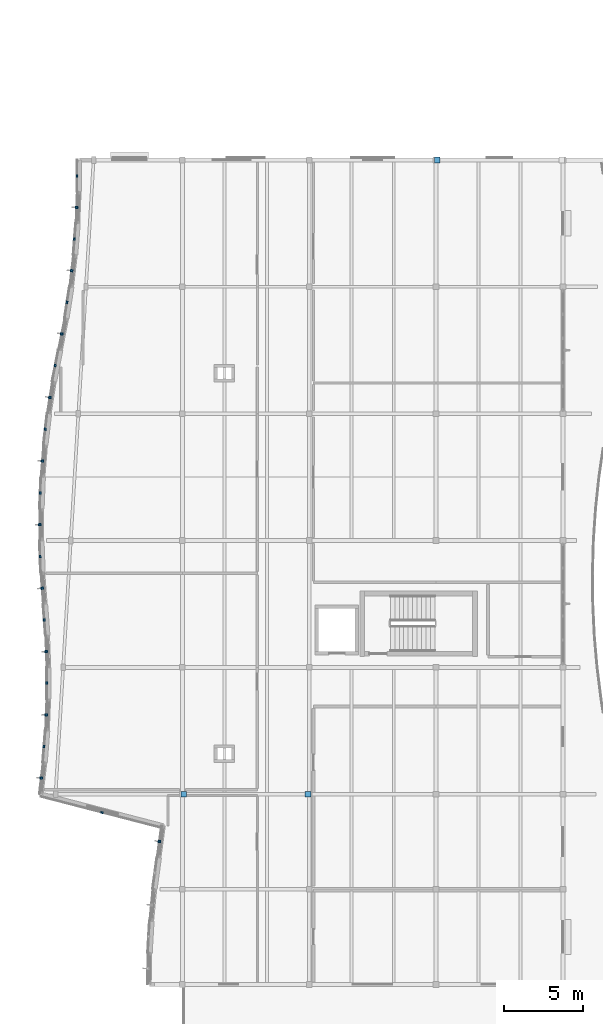
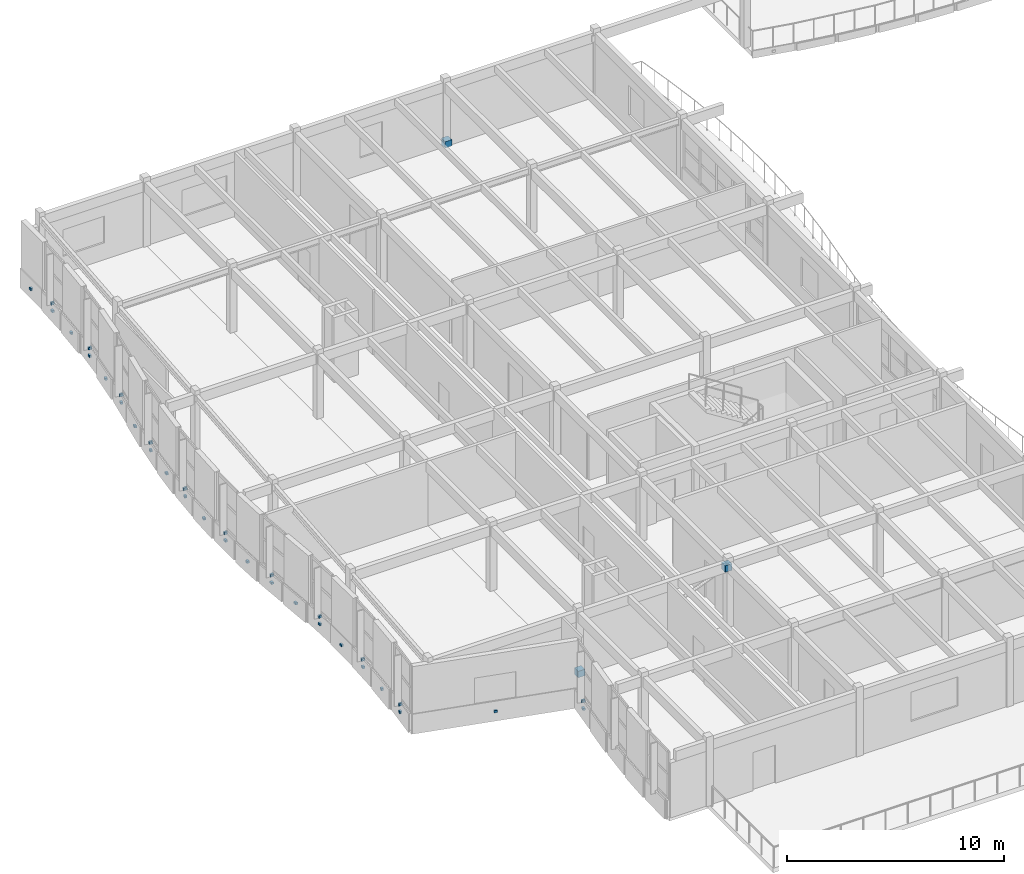
# One storey, part 46 of 63: 36 discrete accessories.
"""IFC4 building model written with IfcOpenShell, lengths in metres."""

from ifc_helpers import new_model, si_unit, direction, frame, origin, origin_2d, place, context, subcontext, project, spatial, rectangle, extrude, material, type_object, element, save


model = new_model("IFC4")

# Units and contexts
model_context = context("Model", 3, precision=1e-05, world=origin(), true_north=direction((0.0, 1.0)))
body_context = subcontext(model_context, "Body", "Model", "MODEL_VIEW")
ifc_project = project(units=[si_unit("LENGTHUNIT", "METRE"), si_unit("AREAUNIT", "SQUARE_METRE"), si_unit("VOLUMEUNIT", "CUBIC_METRE"), si_unit("PLANEANGLEUNIT", "RADIAN"), si_unit("MASSUNIT", "GRAM", prefix="KILO")], contexts=[model_context])

# Site, building, storey
site_placement = place(None, origin())
site = spatial("IfcSite", under=ifc_project, at=site_placement, CompositionType="ELEMENT")
building_placement = place(site_placement, origin())
building = spatial("IfcBuilding", under=site, at=building_placement, Name="Tonlespit Floodbar School", CompositionType="ELEMENT")
storey_placement = place(building_placement, frame((0.0, 0.0, 8.39990234375)))
storey = spatial("IfcBuildingStorey", under=building, at=storey_placement, Name="L02", CompositionType="ELEMENT", Elevation=8.39990234375)

# Discrete accessories
ifc_material_1 = material(Name="Galvanised Steel", Category="steel")
discrete_accessory_type_1 = type_object("IfcDiscreteAccessoryType", Name="Bracket_Facade_S355", PredefinedType="BRACKET", material=ifc_material_1)
discrete_accessory_1_placement = place(storey_placement, frame((10.55712890625, 53.017578125, 0.35498046875), z_axis=(0.0, 0.0, 1.0), x_axis=(0.134662424626, 0.990891533617, 0.0)))
element("IfcDiscreteAccessory", 1, at=discrete_accessory_1_placement, inside=storey, type_object=discrete_accessory_type_1, Name="L02 white band support bracket 0547", PredefinedType="BRACKET", context=body_context, shape_type="SweptSolid", body=[
    extrude(rectangle(XDim=0.159912109375, YDim=0.1201171875, at=origin_2d()), origin(), (0.0, 0.0, 1.0), 0.1201171875),
])
discrete_accessory_2_placement = place(storey_placement, frame((10.547119140625, 53.018798828125, 0.7802734375), z_axis=(0.0, 0.0, 1.0), x_axis=(0.134662424626, 0.990891533617, 0.0)))
element("IfcDiscreteAccessory", 2, at=discrete_accessory_2_placement, inside=storey, type_object=discrete_accessory_type_1, Name="Solar fin support bracket 154", PredefinedType="BRACKET", context=body_context, shape_type="SweptSolid", body=[
    extrude(rectangle(XDim=0.1201171875, YDim=0.179931640625, at=origin_2d()), origin(), (0.0, 0.0, 1.0), 0.139892578125),
])
for number, where, z_axis, x_axis, name in (
    (3, (6.92822265625, 54.84521484375, 0.380126953125), (0.0, 0.0, 1.0), (-0.967937542799, 0.251190989567, 0.0), "L02 white band support bracket 0548"),
    (4, (3.103759765625, 57.01513671875, 0.35498046875), (0.0, 0.0, 1.0), (0.116991411823, 0.99313292643, 0.0), "L02 white band support bracket 0549"),
):
    element("IfcDiscreteAccessory", number, at=place(storey_placement, frame(where, z_axis=z_axis, x_axis=x_axis)), inside=storey, type_object=discrete_accessory_type_1, Name=name, PredefinedType="BRACKET", context=body_context, shape_type="SweptSolid", body=[
        extrude(rectangle(XDim=0.159912109375, YDim=0.1201171875, at=origin_2d()), origin(), (0.0, 0.0, 1.0), 0.1201171875),
    ])
discrete_accessory_3_placement = place(storey_placement, frame((3.09375, 57.016357421875, 0.7802734375), z_axis=(0.0, 0.0, 1.0), x_axis=(0.116991411823, 0.99313292643, 0.0)))
element("IfcDiscreteAccessory", 5, at=discrete_accessory_3_placement, inside=storey, type_object=discrete_accessory_type_1, Name="Solar fin support bracket 155", PredefinedType="BRACKET", context=body_context, shape_type="SweptSolid", body=[
    extrude(rectangle(XDim=0.1201171875, YDim=0.179931640625, at=origin_2d()), origin(), (0.0, 0.0, 1.0), 0.139892578125),
])
for number, where, z_axis, x_axis, name in (
    (6, (3.2705078125, 59.0126953125, 0.380126953125), (0.0, 0.0, 1.0), (0.079001948152, 0.996874461599, 0.0), "L02 white band support bracket 0550"),
    (7, (3.419921875, 61.00537109375, 0.35498046875), (0.0, 0.0, 1.0), (0.040715999914, 0.999170759856, 0.0), "L02 white band support bracket 0551"),
):
    element("IfcDiscreteAccessory", number, at=place(storey_placement, frame(where, z_axis=z_axis, x_axis=x_axis)), inside=storey, type_object=discrete_accessory_type_1, Name=name, PredefinedType="BRACKET", context=body_context, shape_type="SweptSolid", body=[
        extrude(rectangle(XDim=0.159912109375, YDim=0.1201171875, at=origin_2d()), origin(), (0.0, 0.0, 1.0), 0.1201171875),
    ])
discrete_accessory_4_placement = place(storey_placement, frame((3.409912109375, 61.005615234375, 0.7802734375), z_axis=(0.0, 0.0, 1.0), x_axis=(0.040715999914, 0.999170759856, 0.0)))
element("IfcDiscreteAccessory", 8, at=discrete_accessory_4_placement, inside=storey, type_object=discrete_accessory_type_1, Name="Solar fin support bracket 156", PredefinedType="BRACKET", context=body_context, shape_type="SweptSolid", body=[
    extrude(rectangle(XDim=0.1201171875, YDim=0.179931640625, at=origin_2d()), origin(), (0.0, 0.0, 1.0), 0.139892578125),
])
for number, where, z_axis, x_axis, name in (
    (9, (3.432861328125, 63.00048828125, 0.380126953125), (0.0, 0.0, 1.0), (0.00220085841, 0.999997578108, 0.0), "L02 white band support bracket 0552"),
    (10, (3.428466796875, 64.9951171875, 0.35498046875), (0.0, 0.0, 1.0), (-0.036575686496, 0.999330885722, 0.0), "L02 white band support bracket 0553"),
):
    element("IfcDiscreteAccessory", number, at=place(storey_placement, frame(where, z_axis=z_axis, x_axis=x_axis)), inside=storey, type_object=discrete_accessory_type_1, Name=name, PredefinedType="BRACKET", context=body_context, shape_type="SweptSolid", body=[
        extrude(rectangle(XDim=0.159912109375, YDim=0.1201171875, at=origin_2d()), origin(), (0.0, 0.0, 1.0), 0.1201171875),
    ])
discrete_accessory_5_placement = place(storey_placement, frame((3.41845703125, 64.994873046875, 0.7802734375), z_axis=(0.0, 0.0, 1.0), x_axis=(-0.036575686496, 0.999330885722, 0.0)))
element("IfcDiscreteAccessory", 11, at=discrete_accessory_5_placement, inside=storey, type_object=discrete_accessory_type_1, Name="Solar fin support bracket 157", PredefinedType="BRACKET", context=body_context, shape_type="SweptSolid", body=[
    extrude(rectangle(XDim=0.1201171875, YDim=0.179931640625, at=origin_2d()), origin(), (0.0, 0.0, 1.0), 0.139892578125),
])
for number, where, z_axis, x_axis, name in (
    (12, (3.286376953125, 66.98779296875, 0.380126953125), (0.0, 0.0, 1.0), (-0.075681836348, 0.997132017161, 0.0), "L02 white band support bracket 0554"),
    (13, (3.16455078125, 68.990234375, 0.35498046875), (0.0, 0.0, 1.0), (-0.075681836348, 0.997132017161, 0.0), "L02 white band support bracket 0555"),
):
    element("IfcDiscreteAccessory", number, at=place(storey_placement, frame(where, z_axis=z_axis, x_axis=x_axis)), inside=storey, type_object=discrete_accessory_type_1, Name=name, PredefinedType="BRACKET", context=body_context, shape_type="SweptSolid", body=[
        extrude(rectangle(XDim=0.159912109375, YDim=0.1201171875, at=origin_2d()), origin(), (0.0, 0.0, 1.0), 0.1201171875),
    ])
discrete_accessory_6_placement = place(storey_placement, frame((3.154541015625, 68.989501953125, 0.7802734375), z_axis=(0.0, 0.0, 1.0), x_axis=(-0.075681836348, 0.997132017161, 0.0)))
element("IfcDiscreteAccessory", 14, at=discrete_accessory_6_placement, inside=storey, type_object=discrete_accessory_type_1, Name="Solar fin support bracket 158", PredefinedType="BRACKET", context=body_context, shape_type="SweptSolid", body=[
    extrude(rectangle(XDim=0.1201171875, YDim=0.179931640625, at=origin_2d()), origin(), (0.0, 0.0, 1.0), 0.139892578125),
])
for number, where, z_axis, x_axis, name in (
    (15, (3.021728515625, 70.994140625, 0.380126953125), (0.0, 0.0, 1.0), (-0.036575686496, 0.999330885722, 0.0), "L02 white band support bracket 0556"),
    (16, (3.01708984375, 73.000244140625, 0.35498046875), (0.0, 0.0, 1.0), (0.00220085841, 0.999997578108, 0.0), "L02 white band support bracket 0557"),
):
    element("IfcDiscreteAccessory", number, at=place(storey_placement, frame(where, z_axis=z_axis, x_axis=x_axis)), inside=storey, type_object=discrete_accessory_type_1, Name=name, PredefinedType="BRACKET", context=body_context, shape_type="SweptSolid", body=[
        extrude(rectangle(XDim=0.159912109375, YDim=0.1201171875, at=origin_2d()), origin(), (0.0, 0.0, 1.0), 0.1201171875),
    ])
discrete_accessory_7_placement = place(storey_placement, frame((3.007080078125, 73.000244140625, 0.7802734375), z_axis=(0.0, 0.0, 1.0), x_axis=(0.00220085841, 0.999997578108, 0.0)))
element("IfcDiscreteAccessory", 17, at=discrete_accessory_7_placement, inside=storey, type_object=discrete_accessory_type_1, Name="Solar fin support bracket 159", PredefinedType="BRACKET", context=body_context, shape_type="SweptSolid", body=[
    extrude(rectangle(XDim=0.1201171875, YDim=0.179931640625, at=origin_2d()), origin(), (0.0, 0.0, 1.0), 0.139892578125),
])
for number, where, z_axis, x_axis, name in (
    (18, (3.0302734375, 75.006591796875, 0.380126953125), (0.0, 0.0, 1.0), (0.040715999914, 0.999170759856, 0.0), "L02 white band support bracket 0558"),
    (19, (3.1806640625, 77.01025390625, 0.35498046875), (0.0, 0.0, 1.0), (0.079001948152, 0.996874461599, 0.0), "L02 white band support bracket 0559"),
):
    element("IfcDiscreteAccessory", number, at=place(storey_placement, frame(where, z_axis=z_axis, x_axis=x_axis)), inside=storey, type_object=discrete_accessory_type_1, Name=name, PredefinedType="BRACKET", context=body_context, shape_type="SweptSolid", body=[
        extrude(rectangle(XDim=0.159912109375, YDim=0.1201171875, at=origin_2d()), origin(), (0.0, 0.0, 1.0), 0.1201171875),
    ])
discrete_accessory_8_placement = place(storey_placement, frame((3.170654296875, 77.010986328125, 0.7802734375), z_axis=(0.0, 0.0, 1.0), x_axis=(0.079001948152, 0.996874461599, 0.0)))
element("IfcDiscreteAccessory", 20, at=discrete_accessory_8_placement, inside=storey, type_object=discrete_accessory_type_1, Name="Solar fin support bracket 160", PredefinedType="BRACKET", context=body_context, shape_type="SweptSolid", body=[
    extrude(rectangle(XDim=0.1201171875, YDim=0.179931640625, at=origin_2d()), origin(), (0.0, 0.0, 1.0), 0.139892578125),
])
for number, where, z_axis, x_axis, name in (
    (21, (3.348388671875, 79.018798828125, 0.380126953125), (0.0, 0.0, 1.0), (0.116991411823, 0.99313292643, 0.0), "L02 white band support bracket 0560"),
    (22, (3.6533203125, 81.02001953125, 0.35498046875), (0.0, 0.0, 1.0), (0.154713834929, 0.987959325722, 0.0), "L02 white band support bracket 0561"),
):
    element("IfcDiscreteAccessory", number, at=place(storey_placement, frame(where, z_axis=z_axis, x_axis=x_axis)), inside=storey, type_object=discrete_accessory_type_1, Name=name, PredefinedType="BRACKET", context=body_context, shape_type="SweptSolid", body=[
        extrude(rectangle(XDim=0.159912109375, YDim=0.1201171875, at=origin_2d()), origin(), (0.0, 0.0, 1.0), 0.1201171875),
    ])
discrete_accessory_9_placement = place(storey_placement, frame((3.643310546875, 81.021728515625, 0.7802734375), z_axis=(0.0, 0.0, 1.0), x_axis=(0.154713834929, 0.987959325722, 0.0)))
element("IfcDiscreteAccessory", 23, at=discrete_accessory_9_placement, inside=storey, type_object=discrete_accessory_type_1, Name="Solar fin support bracket 161", PredefinedType="BRACKET", context=body_context, shape_type="SweptSolid", body=[
    extrude(rectangle(XDim=0.1201171875, YDim=0.179931640625, at=origin_2d()), origin(), (0.0, 0.0, 1.0), 0.139892578125),
])
for number, where, z_axis, x_axis, name in (
    (24, (3.97705078125, 83.03076171875, 0.380126953125), (0.0, 0.0, 1.0), (0.192246217643, 0.98134672354, 0.0), "L02 white band support bracket 0562"),
    (25, (4.398193359375, 85.02490234375, 0.35498046875), (0.0, 0.0, 1.0), (0.192246217643, 0.98134672354, 0.0), "L02 white band support bracket 0563"),
):
    element("IfcDiscreteAccessory", number, at=place(storey_placement, frame(where, z_axis=z_axis, x_axis=x_axis)), inside=storey, type_object=discrete_accessory_type_1, Name=name, PredefinedType="BRACKET", context=body_context, shape_type="SweptSolid", body=[
        extrude(rectangle(XDim=0.159912109375, YDim=0.1201171875, at=origin_2d()), origin(), (0.0, 0.0, 1.0), 0.1201171875),
    ])
discrete_accessory_10_placement = place(storey_placement, frame((4.388427734375, 85.02685546875, 0.7802734375), z_axis=(0.0, 0.0, 1.0), x_axis=(0.192246217643, 0.98134672354, 0.0)))
element("IfcDiscreteAccessory", 26, at=discrete_accessory_10_placement, inside=storey, type_object=discrete_accessory_type_1, Name="Solar fin support bracket 162", PredefinedType="BRACKET", context=body_context, shape_type="SweptSolid", body=[
    extrude(rectangle(XDim=0.1201171875, YDim=0.179931640625, at=origin_2d()), origin(), (0.0, 0.0, 1.0), 0.139892578125),
])
for number, where, z_axis, x_axis, name in (
    (27, (4.72021484375, 87.02490234375, 0.380126953125), (0.0, 0.0, 1.0), (0.154713834929, 0.987959325722, 0.0), "L02 white band support bracket 0564"),
    (28, (5.023681640625, 89.01513671875, 0.35498046875), (0.0, 0.0, 1.0), (0.116991411823, 0.99313292643, 0.0), "L02 white band support bracket 0565"),
):
    element("IfcDiscreteAccessory", number, at=place(storey_placement, frame(where, z_axis=z_axis, x_axis=x_axis)), inside=storey, type_object=discrete_accessory_type_1, Name=name, PredefinedType="BRACKET", context=body_context, shape_type="SweptSolid", body=[
        extrude(rectangle(XDim=0.159912109375, YDim=0.1201171875, at=origin_2d()), origin(), (0.0, 0.0, 1.0), 0.1201171875),
    ])
discrete_accessory_11_placement = place(storey_placement, frame((5.013916015625, 89.016357421875, 0.7802734375), z_axis=(0.0, 0.0, 1.0), x_axis=(0.116991411823, 0.99313292643, 0.0)))
element("IfcDiscreteAccessory", 29, at=discrete_accessory_11_placement, inside=storey, type_object=discrete_accessory_type_1, Name="Solar fin support bracket 163", PredefinedType="BRACKET", context=body_context, shape_type="SweptSolid", body=[
    extrude(rectangle(XDim=0.1201171875, YDim=0.179931640625, at=origin_2d()), origin(), (0.0, 0.0, 1.0), 0.139892578125),
])
for number, where, z_axis, x_axis, name in (
    (30, (5.1904296875, 91.0126953125, 0.380126953125), (0.0, 0.0, 1.0), (0.079001948152, 0.996874461599, 0.0), "L02 white band support bracket 0566"),
    (31, (5.340087890625, 93.00537109375, 0.35498046875), (0.0, 0.0, 1.0), (0.040715999914, 0.999170759856, 0.0), "L02 white band support bracket 0567"),
):
    element("IfcDiscreteAccessory", number, at=place(storey_placement, frame(where, z_axis=z_axis, x_axis=x_axis)), inside=storey, type_object=discrete_accessory_type_1, Name=name, PredefinedType="BRACKET", context=body_context, shape_type="SweptSolid", body=[
        extrude(rectangle(XDim=0.159912109375, YDim=0.1201171875, at=origin_2d()), origin(), (0.0, 0.0, 1.0), 0.1201171875),
    ])
discrete_accessory_12_placement = place(storey_placement, frame((5.330078125, 93.005615234375, 0.7802734375), z_axis=(0.0, 0.0, 1.0), x_axis=(0.040715999914, 0.999170759856, 0.0)))
element("IfcDiscreteAccessory", 32, at=discrete_accessory_12_placement, inside=storey, type_object=discrete_accessory_type_1, Name="Solar fin support bracket 164", PredefinedType="BRACKET", context=body_context, shape_type="SweptSolid", body=[
    extrude(rectangle(XDim=0.1201171875, YDim=0.179931640625, at=origin_2d()), origin(), (0.0, 0.0, 1.0), 0.139892578125),
])
discrete_accessory_13_placement = place(storey_placement, frame((5.352783203125, 95.00048828125, 0.380126953125), z_axis=(0.0, 0.0, 1.0), x_axis=(0.00220085841, 0.999997578108, 0.0)))
element("IfcDiscreteAccessory", 33, at=discrete_accessory_13_placement, inside=storey, type_object=discrete_accessory_type_1, Name="L02 white band support bracket 0568", PredefinedType="BRACKET", context=body_context, shape_type="SweptSolid", body=[
    extrude(rectangle(XDim=0.159912109375, YDim=0.1201171875, at=origin_2d()), origin(), (0.0, 0.0, 1.0), 0.1201171875),
])
ifc_material_2 = material(Name="Steel S355", Category="steel")
discrete_accessory_type_2 = type_object("IfcDiscreteAccessoryType", Name="GussetShoe_Brace_S355", PredefinedType="SHOE", material=ifc_material_2)
for number, where, z_axis, x_axis, name in (
    (34, (12.080078125, 56.0, -0.02978515625), (0.0, 0.0, 1.0), (1.0, 0.0, 0.0), "L02 brace and chord end gusset shoe 0023"),
    (35, (19.919921875, 56.0, 3.169921875), (0.0, 0.0, 1.0), (1.0, 0.0, 0.0), "L02 brace and chord end gusset shoe 0024"),
    (36, (28.080078125, 96.0, -0.02978515625), (0.0, 0.0, 1.0), (1.0, 0.0, 0.0), "L02 brace and chord end gusset shoe 0031"),
):
    element("IfcDiscreteAccessory", number, at=place(storey_placement, frame(where, z_axis=z_axis, x_axis=x_axis)), inside=storey, type_object=discrete_accessory_type_2, Name=name, PredefinedType="SHOE", context=body_context, shape_type="SweptSolid", body=[
        extrude(rectangle(XDim=0.360107421875, YDim=0.360107421875, at=origin_2d()), origin(), (0.0, 0.0, 1.0), 0.360107421875),
    ])

save(model, "model.ifc")
